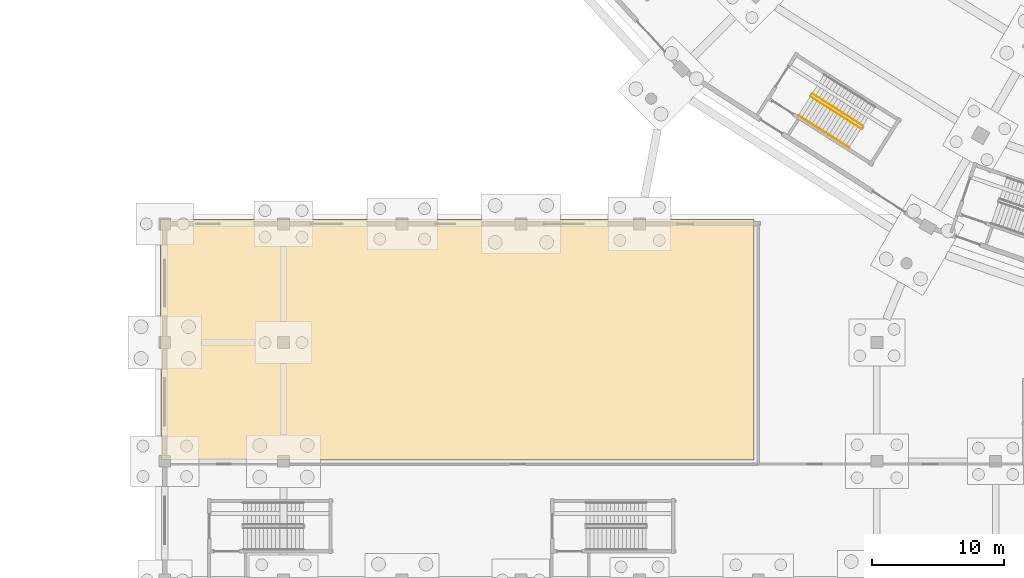
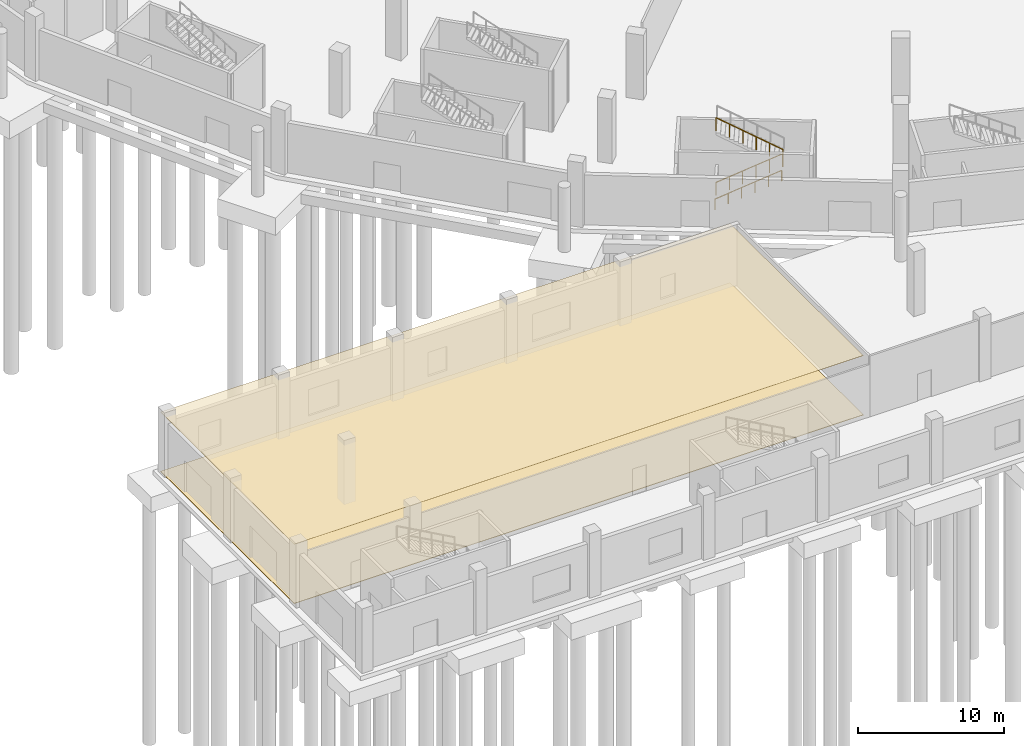
# One storey, part 58 of 103: 3 railings, 2 coverings.
"""IFC4 building model written with IfcOpenShell, lengths in metres."""

import ifcopenshell
import ifcopenshell.guid

model = None  # the IFC model being written
_history = None  # IfcOwnerHistory: only IFC2X3 demands one
_inside = {}  # id of a spatial element -> (the spatial element, [elements in it])
_under = {}  # id of a project, library or spatial element -> (it, [spatial elements below it])
_declared = {}  # id of a project -> (the project, [libraries it declares])
_typed = {}  # id of a type object -> (the type object, [elements of that type])
_made_of = {}  # id of a material, layer set ... -> (it, [elements and type objects made of it])


def new_model(schema):
    """Start an empty IFC model of exactly this schema.

    Asked for "IFC4X3", IfcOpenShell would pick the latest addendum, in which some entities
    have other attributes; the version numbers below select the first issue.
    IFC2X3 requires an IfcOwnerHistory on every rooted entity: one is made here for all.
    """
    global model, _history
    if schema == "IFC4X3":
        model = ifcopenshell.file(schema_version=(4, 3, 0, 0))
    else:
        model = ifcopenshell.file(schema=schema)
    _inside.clear()
    _under.clear()
    _declared.clear()
    _typed.clear()
    _made_of.clear()
    _history = None
    if model.schema == "IFC2X3":
        org = make("IfcOrganization", Name="unknown")
        user = make(
            "IfcPersonAndOrganization",
            ThePerson=make("IfcPerson", FamilyName="unknown"),
            TheOrganization=org,
        )
        app = make(
            "IfcApplication",
            ApplicationDeveloper=org,
            Version="unknown",
            ApplicationFullName="unknown",
            ApplicationIdentifier="unknown",
        )
        _history = make(
            "IfcOwnerHistory",
            OwningUser=user,
            OwningApplication=app,
            ChangeAction="ADDED",
            CreationDate=0,
        )
    return model


def make(cls, **values):
    """One entity of the class cls with the attributes given. An attribute that is None is left unset."""
    return model.create_entity(
        cls, **{name: value for name, value in values.items() if value is not None}
    )


def rooted(cls, **values):
    """An entity with a GlobalId (a new one), such as an element, a storey or a relation."""
    return make(cls, GlobalId=ifcopenshell.guid.new(), OwnerHistory=_history, **values)


def si_unit(unit_type, name, prefix=None):
    """IfcSIUnit, for example si_unit("LENGTHUNIT", "METRE", prefix="MILLI")."""
    return make("IfcSIUnit", UnitType=unit_type, Prefix=prefix, Name=name)


def assignment(units):
    """IfcUnitAssignment: the units of a project."""
    return None if units is None else make("IfcUnitAssignment", Units=units)


def point(xyz):
    """IfcCartesianPoint."""
    return None if xyz is None else make("IfcCartesianPoint", Coordinates=xyz)


def direction(xyz):
    """IfcDirection."""
    return None if xyz is None else make("IfcDirection", DirectionRatios=xyz)


def frame(location, z_axis=None, x_axis=None):
    """IfcAxis2Placement3D, a coordinate frame: its origin and axes. An axis left out is left unset."""
    return make(
        "IfcAxis2Placement3D",
        Location=point(location),
        Axis=direction(z_axis),
        RefDirection=direction(x_axis),
    )


def frame_2d(location, x_axis=None):
    """IfcAxis2Placement2D, a coordinate frame in the plane: its origin and x axis."""
    return make(
        "IfcAxis2Placement2D", Location=point(location), RefDirection=direction(x_axis)
    )


def origin():
    """The frame at (0, 0, 0) with its axes left unset."""
    return frame((0.0, 0.0, 0.0))


def origin_2d():
    """The frame at (0, 0) in the plane with its x axis left unset."""
    return frame_2d((0.0, 0.0))


def place(relative_to, where):
    """IfcLocalPlacement: puts the frame where relative to a parent placement (None: the world)."""
    return make(
        "IfcLocalPlacement", PlacementRelTo=relative_to, RelativePlacement=where
    )


def context(
    kind, dimensions, precision=None, world=None, true_north=None, identifier=None
):
    """IfcGeometricRepresentationContext, for example the 3D "Model" context."""
    return make(
        "IfcGeometricRepresentationContext",
        ContextIdentifier=identifier,
        ContextType=kind,
        CoordinateSpaceDimension=dimensions,
        Precision=precision,
        WorldCoordinateSystem=world,
        TrueNorth=true_north,
    )


def subcontext(parent, identifier, kind, view, scale=None):
    """IfcGeometricRepresentationSubContext, for example "Body" below "Model"."""
    return make(
        "IfcGeometricRepresentationSubContext",
        ContextIdentifier=identifier,
        ContextType=kind,
        ParentContext=parent,
        TargetScale=scale,
        TargetView=view,
    )


def project(units=None, contexts=None):
    """IfcProject with its units and contexts."""
    return rooted(
        "IfcProject",
        Name="project",
        RepresentationContexts=contexts,
        UnitsInContext=assignment(units),
    )


def spatial(cls, under=None, at=None, **own):
    """A site, building, storey or space (cls), placed at a placement, below another one or the project."""
    s = rooted(cls, ObjectPlacement=at, **own)
    if under is not None:
        _under.setdefault(under.id(), (under, []))[1].append(s)
    return s


def polyline(points):
    """IfcPolyline through the points."""
    return make("IfcPolyline", Points=[point(p) for p in points])


def profile(cls, at=None, kind="AREA", **sizes):
    """A parametric profile (cls). Its sizes go by their IFC names, for example OverallWidth=200.0."""
    return make(cls, ProfileType=kind, Position=at, **sizes)


def circle(**sizes):
    """IfcCircleProfileDef."""
    return profile("IfcCircleProfileDef", **sizes)


def outline(outer, holes=None, kind="AREA"):
    """IfcArbitraryClosedProfileDef: a profile drawn as a closed curve; with holes, ...WithVoids."""
    if holes is None:
        return make("IfcArbitraryClosedProfileDef", ProfileType=kind, OuterCurve=outer)
    return make(
        "IfcArbitraryProfileDefWithVoids",
        ProfileType=kind,
        OuterCurve=outer,
        InnerCurves=holes,
    )


def extrude(swept, where, along, depth):
    """IfcExtrudedAreaSolid: the profile swept, set in the frame where, extruded along a direction by depth."""
    return make(
        "IfcExtrudedAreaSolid",
        SweptArea=swept,
        Position=where,
        ExtrudedDirection=direction(along),
        Depth=depth,
    )


def shape(context_of_items, identifier, shape_type, items):
    """IfcShapeRepresentation: the items that make up one representation, for example the "Body"."""
    return make(
        "IfcShapeRepresentation",
        ContextOfItems=context_of_items,
        RepresentationIdentifier=identifier,
        RepresentationType=shape_type,
        Items=items,
    )


def material(Name=None, Category=None):
    """IfcMaterial."""
    return make("IfcMaterial", Name=Name, Category=Category)


def layer(
    of_material, thickness, ventilated=None, Name=None, Category=None, Priority=None
):
    """IfcMaterialLayer: one layer of a wall or slab, of a material (None: an air gap)."""
    return make(
        "IfcMaterialLayer",
        Material=of_material,
        LayerThickness=thickness,
        IsVentilated=ventilated,
        Name=Name,
        Category=Category,
        Priority=Priority,
    )


def layer_set(layers, Name=None):
    """IfcMaterialLayerSet."""
    return make("IfcMaterialLayerSet", MaterialLayers=layers, LayerSetName=Name)


def made_of(thing, what):
    """Note that an element or type object is made of a material, layer set ...; save() writes the relation."""
    if what is not None:
        _made_of.setdefault(what.id(), (what, []))[1].append(thing)
    return thing


def type_object(cls, material=None, **own):
    """A type object (cls), such as IfcWallType, which elements share."""
    return made_of(rooted(cls, **own), material)


def element(
    cls,
    number,
    at=None,
    inside=None,
    cuts=None,
    type_object=None,
    material=None,
    context=None,
    identifier="Body",
    shape_type=None,
    held_by="IfcProductDefinitionShape",
    body=None,
    shapes=None,
    **own,
):
    """One element of the class cls, such as IfcWall. Its Tag is "e" and its number.

    at: its placement. inside: the storey or other place that contains it. cuts: it is an
    opening in that element (IfcRelVoidsElement). A single representation is given by context,
    identifier, shape_type and body (its items); several are given by shapes. held_by: the class
    of the entity that holds the representations. save() writes the other relations.
    """
    e = rooted(cls, Tag="e%d" % number, ObjectPlacement=at, **own)
    if body is not None:
        shapes = [shape(context, identifier, shape_type, body)]
    if shapes is not None:
        e.Representation = make(held_by, Representations=shapes)
    if inside is not None:
        _inside.setdefault(inside.id(), (inside, []))[1].append(e)
    if cuts is not None:
        rooted(
            "IfcRelVoidsElement", RelatingBuildingElement=cuts, RelatedOpeningElement=e
        )
    if type_object is not None:
        _typed.setdefault(type_object.id(), (type_object, []))[1].append(e)
    return made_of(e, material)


def aggregate(whole, parts):
    """IfcRelAggregates: a whole, such as a stair, and the parts it consists of."""
    return rooted("IfcRelAggregates", RelatingObject=whole, RelatedObjects=parts)


def save(model, path):
    """Write the relations noted so far, then the file.

    IfcRelAggregates (storeys below a building ...), IfcRelContainedInSpatialStructure (elements
    in a storey), IfcRelDefinesByType, IfcRelAssociatesMaterial and IfcRelDeclares: one each for
    every whole, place, type object, material and project.
    """
    for whole, parts in _under.values():
        aggregate(whole, parts)
    for where, things in _inside.values():
        rooted(
            "IfcRelContainedInSpatialStructure",
            RelatedElements=things,
            RelatingStructure=where,
        )
    for kind, things in _typed.values():
        rooted("IfcRelDefinesByType", RelatedObjects=things, RelatingType=kind)
    for what, things in _made_of.values():
        rooted("IfcRelAssociatesMaterial", RelatedObjects=things, RelatingMaterial=what)
    for by, libraries in _declared.values():
        rooted("IfcRelDeclares", RelatingContext=by, RelatedDefinitions=libraries)
    model.write(path)


model = new_model("IFC4")

# Units and contexts
model_context = context("Model", 3, precision=1e-05, world=origin(), true_north=direction((0.0, 1.0)))
body_context = subcontext(model_context, "Body", "Model", "MODEL_VIEW")
ifc_project = project(units=[si_unit("LENGTHUNIT", "METRE"), si_unit("AREAUNIT", "SQUARE_METRE"), si_unit("VOLUMEUNIT", "CUBIC_METRE"), si_unit("PLANEANGLEUNIT", "RADIAN"), si_unit("MASSUNIT", "GRAM", prefix="KILO")], contexts=[model_context])

# Site, building, storey
site_placement = place(None, origin())
site = spatial("IfcSite", under=ifc_project, at=site_placement, CompositionType="ELEMENT")
building_placement = place(site_placement, origin())
building = spatial("IfcBuilding", under=site, at=building_placement, Name="Zevraka Park Crest Stadium", CompositionType="ELEMENT")
storey_placement = place(building_placement, origin())
storey = spatial("IfcBuildingStorey", under=building, at=storey_placement, Name="L00", CompositionType="ELEMENT", Elevation=0.0)

# Coverings
ifc_material_1 = material(Name="Perforated acoustic mineral-fibre suspended ceiling", Category="other")
ifc_layer_1 = layer(ifc_material_1, 0.02490234375)
ifc_layer_set_1 = layer_set([ifc_layer_1], Name="Perforated acoustic mineral-fibre suspended ceiling")
covering_type_1 = type_object("IfcCoveringType", Name="CLG01", PredefinedType="CEILING", material=ifc_layer_set_1)
covering_1_placement = place(storey_placement, frame((0.0, 0.0, 4.9599609375)))
element("IfcCovering", 1, at=covering_1_placement, inside=storey, type_object=covering_type_1, Name="Acoustic Ceiling Press Conference Auditorium L00-076", PredefinedType="CEILING", context=body_context, shape_type="SweptSolid", body=[
    extrude(outline(polyline([(8.679931640625, 27.320068359375), (53.675048828125, 27.31689453125), (53.697021484375, 9.10498046875), (8.705078125, 9.0830078125), (8.679931640625, 27.320068359375)])), origin(), (0.0, 0.0, 1.0), 0.025146484375),
])
ifc_material_2 = material(Name="Honed terrazzo and slip-resistant sports flooring", Category="other")
ifc_layer_2 = layer(ifc_material_2, 0.0400390625)
ifc_layer_set_2 = layer_set([ifc_layer_2], Name="Honed terrazzo and slip-resistant sports flooring")
covering_type_2 = type_object("IfcCoveringType", Name="FLR01", PredefinedType="FLOORING", material=ifc_layer_set_2)
covering_2_placement = place(storey_placement, origin())
element("IfcCovering", 2, at=covering_2_placement, inside=storey, type_object=covering_type_2, Name="Terrazzo Floor Finish Press Conference Auditorium L00-076", PredefinedType="FLOORING", context=body_context, shape_type="SweptSolid", body=[
    extrude(outline(polyline([(8.679931640625, 27.320068359375), (53.675048828125, 27.31689453125), (53.697021484375, 9.10498046875), (8.705078125, 9.0830078125), (8.679931640625, 27.320068359375)])), origin(), (0.0, 0.0, 1.0), 0.0400390625),
])

# Railings
ifc_material_3 = material(Name="Powder-coated tubular steel stairwell guard", Category="steel")
railing_type_1 = type_object("IfcRailingType", Name="GR03", PredefinedType="GUARDRAIL", material=ifc_material_3)
railing_1_placement = place(storey_placement, frame((57.952392578125, 36.657470703125, 0.168701171875)))
element("IfcRailing", 3, at=railing_1_placement, inside=storey, type_object=railing_type_1, Name="L00 ST16 stair guard 1", PredefinedType="GUARDRAIL", context=body_context, shape_type="SweptSolid", body=[
    extrude(circle(Radius=0.02392578125, at=origin_2d()), frame((0.0, 0.0, 1.076171875), z_axis=(0.738861952771, -0.468745901407, 0.48410773043), x_axis=(0.535704457002, 0.844405551111, 0.0)), (0.0, 0.0, 1.0), 5.228759765625),
    extrude(circle(Radius=0.02099609375, at=origin_2d()), origin(), (0.0, 0.0, 1.0), 1.052001953125),
    extrude(circle(Radius=0.02099609375, at=origin_2d()), frame((0.772705078125, -0.490234375, 0.50634765625)), (0.0, 0.0, 1.0), 1.052001953125),
    extrude(circle(Radius=0.02099609375, at=origin_2d()), frame((1.54541015625, -0.98046875, 1.012451171875)), (0.0, 0.0, 1.0), 1.052001953125),
    extrude(circle(Radius=0.02099609375, at=origin_2d()), frame((2.31787109375, -1.470458984375, 1.518798828125)), (0.0, 0.0, 1.0), 1.052001953125),
    extrude(circle(Radius=0.02099609375, at=origin_2d()), frame((3.090576171875, -1.960693359375, 2.02490234375)), (0.0, 0.0, 1.0), 1.052001953125),
    extrude(circle(Radius=0.02099609375, at=origin_2d()), frame((3.86328125, -2.450927734375, 2.53125)), (0.0, 0.0, 1.0), 1.052001953125),
])
railing_2_placement = place(storey_placement, frame((61.954833984375, 34.426025390625, 2.86865234375)))
element("IfcRailing", 4, at=railing_2_placement, inside=storey, type_object=railing_type_1, Name="L00 ST16 stair guard 3", PredefinedType="GUARDRAIL", context=body_context, shape_type="SweptSolid", body=[
    extrude(circle(Radius=0.02392578125, at=origin_2d()), frame((0.0, 0.0, 1.076171875), z_axis=(-0.738840749407, 0.46876207314, 0.484124432146), x_axis=(-0.535728596419, -0.844390236193, 0.0)), (0.0, 0.0, 1.0), 5.228515625),
    extrude(circle(Radius=0.02099609375, at=origin_2d()), origin(), (0.0, 0.0, 1.0), 1.052001953125),
    extrude(circle(Radius=0.02099609375, at=origin_2d()), frame((-0.772705078125, 0.490234375, 0.50634765625)), (0.0, 0.0, 1.0), 1.052001953125),
    extrude(circle(Radius=0.02099609375, at=origin_2d()), frame((-1.545166015625, 0.98046875, 1.012451171875)), (0.0, 0.0, 1.0), 1.052001953125),
    extrude(circle(Radius=0.02099609375, at=origin_2d()), frame((-2.31787109375, 1.470458984375, 1.518798828125)), (0.0, 0.0, 1.0), 1.052001953125),
    extrude(circle(Radius=0.02099609375, at=origin_2d()), frame((-3.09033203125, 1.960693359375, 2.02490234375)), (0.0, 0.0, 1.0), 1.052001953125),
    extrude(circle(Radius=0.02099609375, at=origin_2d()), frame((-3.863037109375, 2.450927734375, 2.53125)), (0.0, 0.0, 1.0), 1.052001953125),
])
ifc_material_4 = material(Name="Brushed stainless steel continuous handrail", Category="steel")
railing_type_2 = type_object("IfcRailingType", Name="HR01", PredefinedType="HANDRAIL", material=ifc_material_4)
railing_3_placement = place(storey_placement, frame((57.041748046875, 35.221923828125, 0.168701171875)))
element("IfcRailing", 5, at=railing_3_placement, inside=storey, type_object=railing_type_2, Name="L00 ST16 stair handrail 1", PredefinedType="HANDRAIL", context=body_context, shape_type="SweptSolid", body=[
    extrude(circle(Radius=0.02392578125, at=origin_2d()), frame((0.0, 0.0, 0.8759765625), z_axis=(0.738840749407, -0.46876207314, 0.484124432146), x_axis=(0.535728596419, 0.844390236193, 0.0)), (0.0, 0.0, 1.0), 5.228515625),
    extrude(circle(Radius=0.02099609375, at=origin_2d()), origin(), (0.0, 0.0, 1.0), 0.851806640625),
    extrude(circle(Radius=0.02099609375, at=origin_2d()), frame((0.772705078125, -0.490234375, 0.50634765625)), (0.0, 0.0, 1.0), 0.851806640625),
    extrude(circle(Radius=0.02099609375, at=origin_2d()), frame((1.545166015625, -0.98046875, 1.012451171875)), (0.0, 0.0, 1.0), 0.851806640625),
    extrude(circle(Radius=0.02099609375, at=origin_2d()), frame((2.31787109375, -1.470458984375, 1.518798828125)), (0.0, 0.0, 1.0), 0.851806640625),
    extrude(circle(Radius=0.02099609375, at=origin_2d()), frame((3.09033203125, -1.960693359375, 2.02490234375)), (0.0, 0.0, 1.0), 0.851806640625),
    extrude(circle(Radius=0.02099609375, at=origin_2d()), frame((3.863037109375, -2.450927734375, 2.53125)), (0.0, 0.0, 1.0), 0.851806640625),
])

save(model, "model.ifc")
